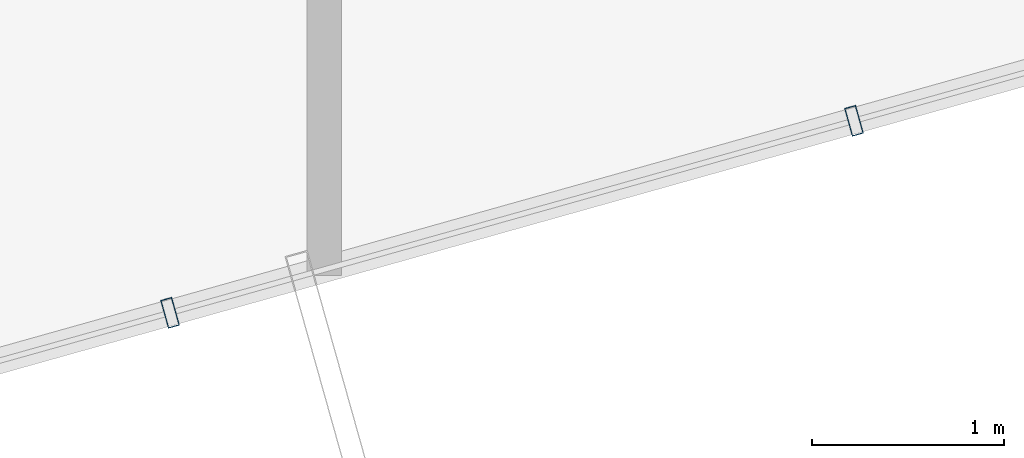
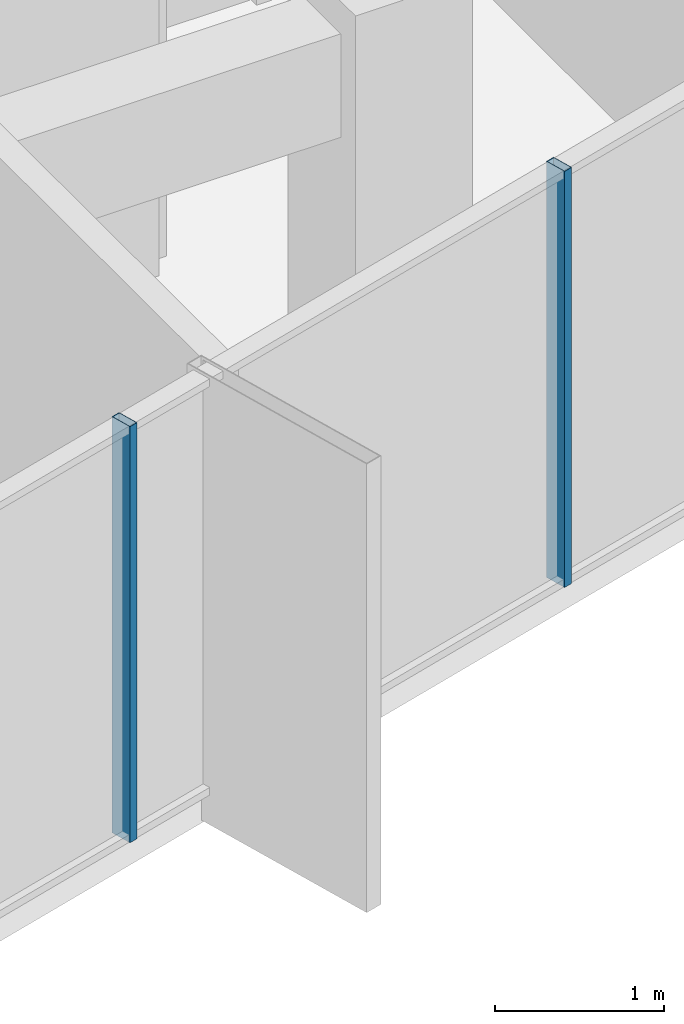
# One storey, part 8 of 29: 2 members, 1 element without a shape of its own.
"""IFC4 building model written with IfcOpenShell, lengths in metres."""

from ifc_helpers import new_model, si_unit, direction, frame, origin, origin_2d, place, context, subcontext, project, spatial, hollow_rectangle, extrude, source, transform, mapped, material, layer, layer_set, material_profile, profile_set, type_object, element, aggregate, save


model = new_model("IFC4")

# Units and contexts
model_context = context("Model", 3, precision=1e-05, world=origin(), true_north=direction((0.0, 1.0)))
body_context = subcontext(model_context, "Body", "Model", "MODEL_VIEW")
ifc_project = project(units=[si_unit("LENGTHUNIT", "METRE"), si_unit("AREAUNIT", "SQUARE_METRE"), si_unit("VOLUMEUNIT", "CUBIC_METRE"), si_unit("PLANEANGLEUNIT", "RADIAN"), si_unit("MASSUNIT", "GRAM", prefix="KILO")], contexts=[model_context])

# Site, building, storey
site_placement = place(None, origin())
site = spatial("IfcSite", under=ifc_project, at=site_placement, CompositionType="ELEMENT")
building_placement = place(site_placement, origin())
building = spatial("IfcBuilding", under=site, at=building_placement, Name="Veraguas Prism Commons", CompositionType="ELEMENT")
storey_placement = place(building_placement, frame((0.0, 0.0, 257.75)))
storey = spatial("IfcBuildingStorey", under=building, at=storey_placement, Name="L73", CompositionType="ELEMENT", Elevation=257.75)

# Curtain wall, members
ifc_material = material(Name="Anodised aluminium EN AW-6063 T6", Category="aluminium")
ifc_layer = layer(ifc_material, 0.14990234375, Name="Unitised Flush Curtain Wall Zone 4", Category="aluminium")
ifc_layer_set = layer_set([ifc_layer], Name="Anodised aluminium EN AW-6063 T6")
curtain_wall_type = type_object("IfcCurtainWallType", Name="Unitised Flush Curtain Wall Zone 4", PredefinedType="NOTDEFINED", material=ifc_layer_set)
curtain_wall_placement = place(storey_placement, origin())
curtain_wall = element("IfcCurtainWall", 1, at=curtain_wall_placement, inside=storey, type_object=curtain_wall_type, Name="Tower Facade Curtain Wall L73-F5", PredefinedType="NOTDEFINED")
ifc_material_profile = material_profile(ifc_material, hollow_rectangle(XDim=0.06005859375, YDim=0.14990234375, WallThickness=0.0029296875, at=origin_2d()), Name="AL60X150X3")
ifc_profile_set = profile_set([ifc_material_profile], Name="Anodised aluminium EN AW-6063 T6")
member_type = type_object("IfcMemberType", Name="Curtain Wall Mullion Upper AL 60x150x3", PredefinedType="MULLION", material=ifc_profile_set)
shared_shape = source(origin(), body_context, "Body", "SweptSolid", [
    extrude(hollow_rectangle(XDim=0.06005859375, YDim=0.14990234375, WallThickness=0.0029296875, at=origin_2d()), origin(), (0.0, 0.0, 1.0), 3.014892578125),
])
member_1_placement = place(storey_placement, frame((24.892822265625, 7.16015625, 0.0), z_axis=(0.0, 0.0, 1.0), x_axis=(0.962784730035, 0.270269427816, 0.0)))
member_1 = element("IfcMember", 2, at=member_1_placement, type_object=member_type, Name="CW-Z4 Mullion 2", PredefinedType="MULLION", context=body_context, shape_type="MappedRepresentation", body=[
    mapped(shared_shape, transform((0.0, 0.0, 0.0), scale=1.0)),
])
member_2_placement = place(storey_placement, frame((28.447021484375, 8.157958984375, 0.0), z_axis=(0.0, 0.0, 1.0), x_axis=(0.962784730035, 0.270269427816, 0.0)))
member_2 = element("IfcMember", 3, at=member_2_placement, type_object=member_type, Name="CW-Z4 Mullion 3", PredefinedType="MULLION", context=body_context, shape_type="MappedRepresentation", body=[
    mapped(shared_shape, transform((0.0, 0.0, 0.0), scale=1.0)),
])
aggregate(curtain_wall, [member_1, member_2])

save(model, "model.ifc")
